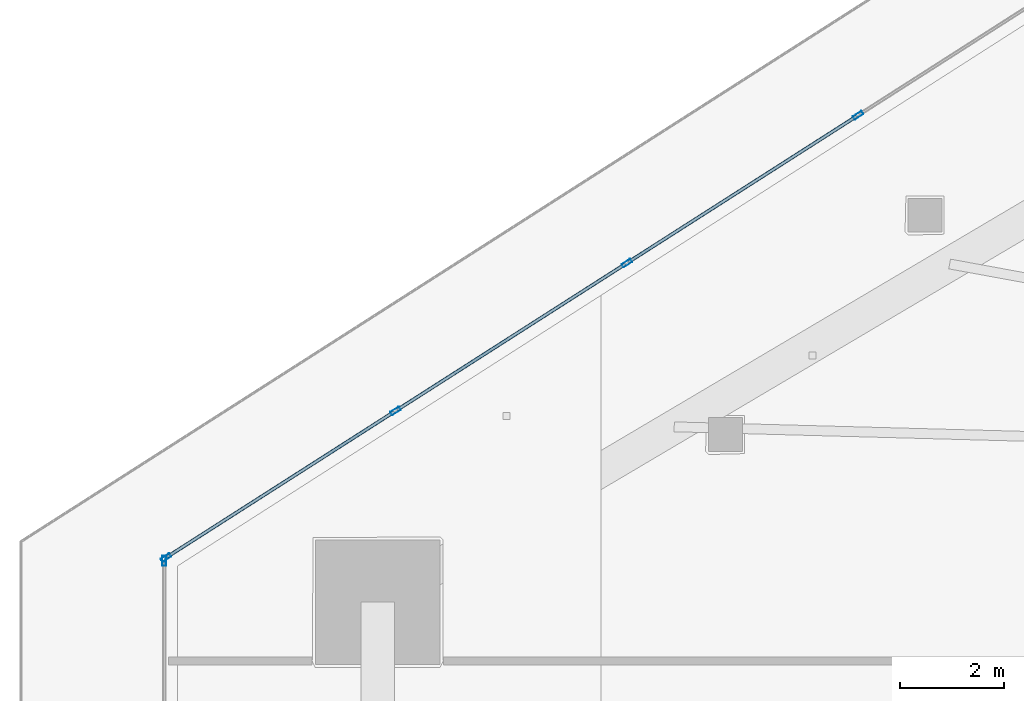
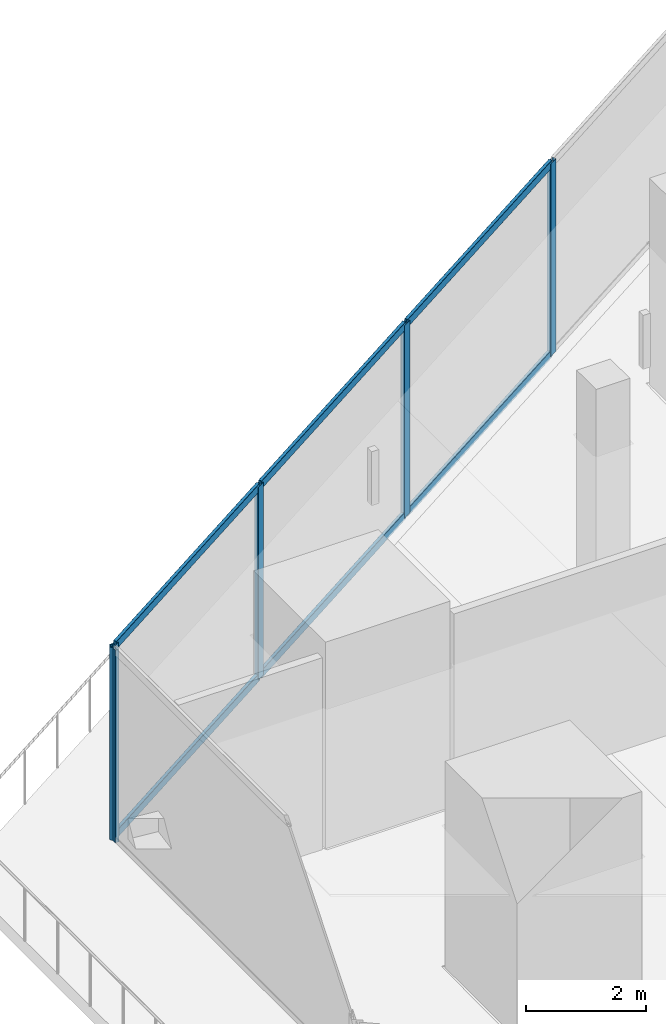
# One storey, part 12 of 44: 11 members, 2 elements without a shape of their own.
"""IFC4 building model written with IfcOpenShell, lengths in metres."""

from ifc_helpers import new_model, si_unit, direction, frame, origin, origin_2d, place, context, subcontext, project, spatial, hollow_rectangle, extrude, material, layer, layer_set, material_profile, profile_set, type_object, element, aggregate, save


model = new_model("IFC4")

# Units and contexts
model_context = context("Model", 3, precision=1e-05, world=origin(), true_north=direction((0.0, 1.0)))
body_context = subcontext(model_context, "Body", "Model", "MODEL_VIEW")
ifc_project = project(units=[si_unit("LENGTHUNIT", "METRE"), si_unit("AREAUNIT", "SQUARE_METRE"), si_unit("VOLUMEUNIT", "CUBIC_METRE"), si_unit("PLANEANGLEUNIT", "RADIAN"), si_unit("MASSUNIT", "GRAM", prefix="KILO")], contexts=[model_context])

# Site, building, storey
site_placement = place(None, origin())
site = spatial("IfcSite", under=ifc_project, at=site_placement, CompositionType="ELEMENT")
building_placement = place(site_placement, origin())
building = spatial("IfcBuilding", under=site, at=building_placement, Name="Qorvath Tower", CompositionType="ELEMENT")
storey_placement = place(building_placement, frame((0.0, 0.0, 78.60009765625)))
storey = spatial("IfcBuildingStorey", under=building, at=storey_placement, Name="L17", CompositionType="ELEMENT", Elevation=78.60009765625)

# Curtain wall, members
ifc_material_1 = material(Name="Anodised aluminium and triple low-E glass", Category="aluminium")
ifc_layer = layer(ifc_material_1, 0.179931640625)
ifc_layer_set = layer_set([ifc_layer], Name="CW-SYS-5")
curtain_wall_type = type_object("IfcCurtainWallType", Name="CW-SYS-5", PredefinedType="NOTDEFINED", material=ifc_layer_set)
curtain_wall_1_placement = place(storey_placement, origin())
curtain_wall_1 = element("IfcCurtainWall", 1, at=curtain_wall_1_placement, inside=storey, type_object=curtain_wall_type, Name="Curtain Wall CW-5 CW-T-L17-4.1", PredefinedType="NOTDEFINED")
ifc_material_2 = material(Name="Anodised aluminium 6063-T6", Category="aluminium")
ifc_material_profile_1 = material_profile(ifc_material_2, hollow_rectangle(XDim=0.074951171875, YDim=0.199951171875, WallThickness=0.00390625, InnerFilletRadius=0.00390625, OuterFilletRadius=0.008056640625, at=origin_2d()), Name="CWM 200x75")
ifc_profile_set_1 = profile_set([ifc_material_profile_1], Name="Anodised aluminium 6063-T6")
member_type_1 = type_object("IfcMemberType", Name="CWM-200", PredefinedType="MULLION", material=ifc_profile_set_1)
member_1_placement = place(storey_placement, frame((-46.02392578125, 12.576904296875, 0.0), z_axis=(0.0, 0.0, 1.0), x_axis=(0.538533373675, -0.842604180763, 0.0)))
member_1 = element("IfcMember", 2, at=member_1_placement, type_object=member_type_1, Name="CW-5 mullion 7", PredefinedType="MULLION", context=body_context, shape_type="SweptSolid", body=[
    extrude(hollow_rectangle(XDim=0.074951171875, YDim=0.199951171875, WallThickness=0.00390625, InnerFilletRadius=0.00390625, OuterFilletRadius=0.008056640625, at=origin_2d()), origin(), (0.0, 0.0, 1.0), 3.919921875),
])
member_2_placement = place(storey_placement, frame((-50.481201171875, 9.72802734375, 0.0), z_axis=(0.0, 0.0, 1.0), x_axis=(0.538533373675, -0.842604180763, 0.0)))
member_2 = element("IfcMember", 3, at=member_2_placement, type_object=member_type_1, Name="CW-5 mullion 8", PredefinedType="MULLION", context=body_context, shape_type="SweptSolid", body=[
    extrude(hollow_rectangle(XDim=0.074951171875, YDim=0.199951171875, WallThickness=0.00390625, InnerFilletRadius=0.00390625, OuterFilletRadius=0.008056640625, at=origin_2d()), origin(), (0.0, 0.0, 1.0), 3.919921875),
])
member_3_placement = place(storey_placement, frame((-54.9384765625, 6.87939453125, 0.0), z_axis=(0.0, 0.0, 1.0), x_axis=(0.538533373675, -0.842604180763, 0.0)))
member_3 = element("IfcMember", 4, at=member_3_placement, type_object=member_type_1, Name="CW-5 mullion 9", PredefinedType="MULLION", context=body_context, shape_type="SweptSolid", body=[
    extrude(hollow_rectangle(XDim=0.074951171875, YDim=0.199951171875, WallThickness=0.00390625, InnerFilletRadius=0.00390625, OuterFilletRadius=0.008056640625, at=origin_2d()), origin(), (0.0, 0.0, 1.0), 3.919921875),
])
member_4_placement = place(storey_placement, frame((-59.3642578125, 4.05078125, 0.0), z_axis=(0.0, 0.0, 1.0), x_axis=(0.538533373675, -0.842604180763, 0.0)))
member_4 = element("IfcMember", 5, at=member_4_placement, type_object=member_type_1, Name="CW-5 mullion 10", PredefinedType="MULLION", context=body_context, shape_type="SweptSolid", body=[
    extrude(hollow_rectangle(XDim=0.074951171875, YDim=0.199951171875, WallThickness=0.00390625, InnerFilletRadius=0.00390625, OuterFilletRadius=0.008056640625, at=origin_2d()), origin(), (0.0, 0.0, 1.0), 3.919921875),
])

# Curtain wall, member
curtain_wall_2_placement = place(storey_placement, origin())
curtain_wall_2 = element("IfcCurtainWall", 6, at=curtain_wall_2_placement, inside=storey, type_object=curtain_wall_type, Name="Curtain Wall CW-5 CW-T-L17-5.1", PredefinedType="NOTDEFINED")
member_5_placement = place(storey_placement, frame((-59.395751953125, 3.992919921875, 0.0), z_axis=(0.0, 0.0, 1.0), x_axis=(1.0, 0.0, 0.0)))
member_5 = element("IfcMember", 7, at=member_5_placement, type_object=member_type_1, Name="CW-5 mullion 1", PredefinedType="MULLION", context=body_context, shape_type="SweptSolid", body=[
    extrude(hollow_rectangle(XDim=0.074951171875, YDim=0.199951171875, WallThickness=0.00390625, InnerFilletRadius=0.00390625, OuterFilletRadius=0.008056640625, at=origin_2d()), origin(), (0.0, 0.0, 1.0), 3.919921875),
])
aggregate(curtain_wall_2, [member_5])

# Member
ifc_material_3 = material(Name="Anodised aluminium 6063-T6", Category="aluminium")
ifc_material_profile_2 = material_profile(ifc_material_3, hollow_rectangle(XDim=0.06494140625, YDim=0.159912109375, WallThickness=0.00341796875, InnerFilletRadius=0.00341796875, OuterFilletRadius=0.007080078125, at=origin_2d()), Name="CWT 160x65")
ifc_profile_set_2 = profile_set([ifc_material_profile_2], Name="Anodised aluminium 6063-T6")
member_type_2 = type_object("IfcMemberType", Name="CWT-160", PredefinedType="USERDEFINED", material=ifc_profile_set_2)
member_6_placement = place(storey_placement, frame((-46.055419921875, 12.556640625, 0.032470703125), z_axis=(-0.842605385104, -0.538531489324, 0.0), x_axis=(0.538531489324, -0.842605385104, 0.0)))
member_6 = element("IfcMember", 8, at=member_6_placement, type_object=member_type_2, Name="CW-5 transom 7.1", ObjectType="TRANSOM", PredefinedType="USERDEFINED", context=body_context, shape_type="SweptSolid", body=[
    extrude(hollow_rectangle(XDim=0.06494140625, YDim=0.159912109375, WallThickness=0.00341796875, InnerFilletRadius=0.00341796875, OuterFilletRadius=0.007080078125, at=origin_2d()), origin(), (0.0, 0.0, 1.0), 5.21484375),
])

member_7_placement = place(storey_placement, frame((-46.055419921875, 12.556640625, 3.887451171875), z_axis=(-0.842605385104, -0.538531489324, 0.0), x_axis=(0.538531489324, -0.842605385104, 0.0)))
member_7 = element("IfcMember", 9, at=member_7_placement, type_object=member_type_2, Name="CW-5 transom 7.2", ObjectType="TRANSOM", PredefinedType="USERDEFINED", context=body_context, shape_type="SweptSolid", body=[
    extrude(hollow_rectangle(XDim=0.06494140625, YDim=0.159912109375, WallThickness=0.00341796875, InnerFilletRadius=0.00341796875, OuterFilletRadius=0.007080078125, at=origin_2d()), origin(), (0.0, 0.0, 1.0), 5.21484375),
])

member_8_placement = place(storey_placement, frame((-50.5126953125, 9.7080078125, 0.032470703125), z_axis=(-0.842597719137, -0.538543483579, 0.0), x_axis=(0.538543483579, -0.842597719137, 0.0)))
member_8 = element("IfcMember", 10, at=member_8_placement, type_object=member_type_2, Name="CW-5 transom 8.1", ObjectType="TRANSOM", PredefinedType="USERDEFINED", context=body_context, shape_type="SweptSolid", body=[
    extrude(hollow_rectangle(XDim=0.06494140625, YDim=0.159912109375, WallThickness=0.00341796875, InnerFilletRadius=0.00341796875, OuterFilletRadius=0.007080078125, at=origin_2d()), origin(), (0.0, 0.0, 1.0), 5.215087890625),
])

member_9_placement = place(storey_placement, frame((-50.5126953125, 9.7080078125, 3.887451171875), z_axis=(-0.842597719137, -0.538543483579, 0.0), x_axis=(0.538543483579, -0.842597719137, 0.0)))
member_9 = element("IfcMember", 11, at=member_9_placement, type_object=member_type_2, Name="CW-5 transom 8.2", ObjectType="TRANSOM", PredefinedType="USERDEFINED", context=body_context, shape_type="SweptSolid", body=[
    extrude(hollow_rectangle(XDim=0.06494140625, YDim=0.159912109375, WallThickness=0.00341796875, InnerFilletRadius=0.00341796875, OuterFilletRadius=0.007080078125, at=origin_2d()), origin(), (0.0, 0.0, 1.0), 5.215087890625),
])

member_10_placement = place(storey_placement, frame((-54.969970703125, 6.859130859375, 0.032470703125), z_axis=(-0.842595813472, -0.538546465144, 0.0), x_axis=(0.538546465144, -0.842595813472, 0.0)))
member_10 = element("IfcMember", 12, at=member_10_placement, type_object=member_type_2, Name="CW-5 transom 9.1", ObjectType="TRANSOM", PredefinedType="USERDEFINED", context=body_context, shape_type="SweptSolid", body=[
    extrude(hollow_rectangle(XDim=0.06494140625, YDim=0.159912109375, WallThickness=0.00341796875, InnerFilletRadius=0.00341796875, OuterFilletRadius=0.007080078125, at=origin_2d()), origin(), (0.0, 0.0, 1.0), 5.177490234375),
])

member_11_placement = place(storey_placement, frame((-54.969970703125, 6.859130859375, 3.887451171875), z_axis=(-0.842595813472, -0.538546465144, 0.0), x_axis=(0.538546465144, -0.842595813472, 0.0)))
member_11 = element("IfcMember", 13, at=member_11_placement, type_object=member_type_2, Name="CW-5 transom 9.2", ObjectType="TRANSOM", PredefinedType="USERDEFINED", context=body_context, shape_type="SweptSolid", body=[
    extrude(hollow_rectangle(XDim=0.06494140625, YDim=0.159912109375, WallThickness=0.00341796875, InnerFilletRadius=0.00341796875, OuterFilletRadius=0.007080078125, at=origin_2d()), origin(), (0.0, 0.0, 1.0), 5.177490234375),
])

aggregate(curtain_wall_1, [member_1, member_2, member_3, member_4, member_6, member_7, member_8, member_9, member_10, member_11])

save(model, "model.ifc")
